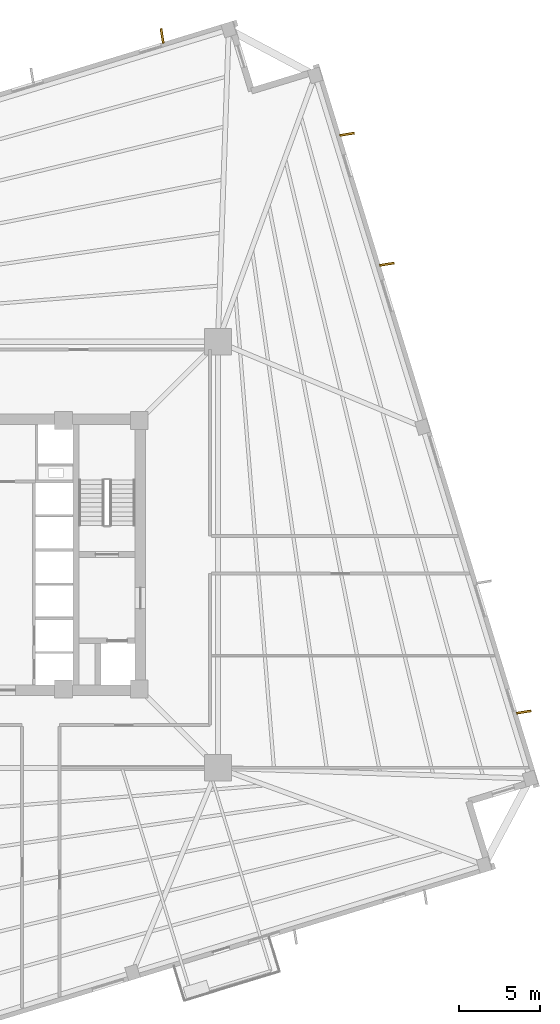
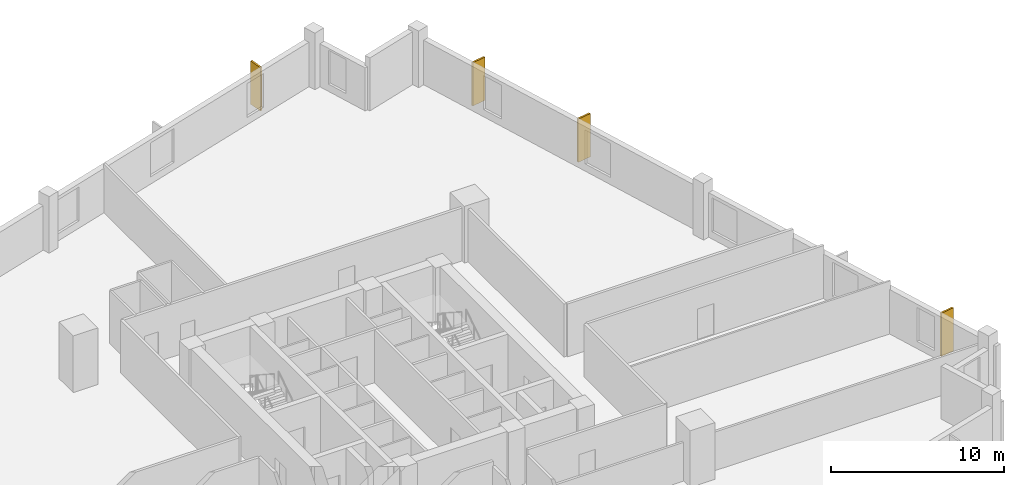
# One storey, part 8 of 8: 4 coverings.
"""IFC4 building model written with IfcOpenShell, lengths in metres."""

from ifc_helpers import new_model, si_unit, direction, frame, origin, origin_2d, place, context, subcontext, project, spatial, rectangle, extrude, source, transform, mapped, material, layer, layer_set, type_object, element, save


model = new_model("IFC4")

# Units and contexts
model_context = context("Model", 3, precision=1e-05, world=origin(), true_north=direction((0.0, 1.0)))
body_context = subcontext(model_context, "Body", "Model", "MODEL_VIEW")
ifc_project = project(units=[si_unit("LENGTHUNIT", "METRE"), si_unit("AREAUNIT", "SQUARE_METRE"), si_unit("VOLUMEUNIT", "CUBIC_METRE"), si_unit("PLANEANGLEUNIT", "RADIAN"), si_unit("MASSUNIT", "GRAM", prefix="KILO"), si_unit("THERMODYNAMICTEMPERATUREUNIT", "KELVIN")], contexts=[model_context])

# Site, building, storey
site_placement = place(None, origin())
site = spatial("IfcSite", under=ifc_project, at=site_placement, CompositionType="ELEMENT")
building_placement = place(site_placement, origin())
building = spatial("IfcBuilding", under=site, at=building_placement, Name="Kosmvard Interchange Tower", CompositionType="ELEMENT")
storey_placement = place(building_placement, frame((0.0, 0.0, 99.199951171875)))
storey = spatial("IfcBuildingStorey", under=building, at=storey_placement, Name="L23", CompositionType="ELEMENT", Elevation=99.199951171875)

# Coverings
ifc_material = material(Name="Architectural anodised aluminium", Category="aluminium")
ifc_layer = layer(ifc_material, 0.1201171875, Name="Architectural anodised aluminium")
ifc_layer_set = layer_set([ifc_layer], Name="Architectural anodised aluminium")
covering_type = type_object("IfcCoveringType", Name="Rotating Vertical Sun-Breaker Fin 900x120 Aluminium", PredefinedType="CLADDING", material=ifc_layer_set)
shared_shape = source(origin(), body_context, "Body", "SweptSolid", [
    extrude(rectangle(XDim=0.89990234375, YDim=0.1201171875, at=origin_2d()), origin(), (0.0, 0.0, 1.0), 3.06005859375),
])
for number, where, z_axis, x_axis, name in (
    (1, (31.865966796875, -9.6572265625, 0.0400390625), (0.0, 0.0, 1.0), (0.987386187922, 0.158330401065, 0.0), "L23 Rotating Vertical Sun-Breaker Fin 05"),
    (2, (23.45849609375, 17.841796875, 0.0400390625), (0.0, 0.0, 1.0), (0.987386187922, 0.158330401065, 0.0), "L23 Rotating Vertical Sun-Breaker Fin 07"),
    (3, (21.017822265625, 25.825439453125, 0.0400390625), (0.0, 0.0, 1.0), (0.987386187922, 0.158330401065, 0.0), "L23 Rotating Vertical Sun-Breaker Fin 08"),
    (4, (9.6572265625, 31.865966796875, 0.0400390625), (0.0, 0.0, 1.0), (-0.158330401065, 0.987386187922, 0.0), "L23 Rotating Vertical Sun-Breaker Fin 09"),
):
    element("IfcCovering", number, at=place(storey_placement, frame(where, z_axis=z_axis, x_axis=x_axis)), inside=storey, type_object=covering_type, Name=name, PredefinedType="CLADDING", context=body_context, shape_type="MappedRepresentation", body=[
        mapped(shared_shape, transform((0.0, 0.0, 0.0), scale=1.0)),
    ])

save(model, "model.ifc")
